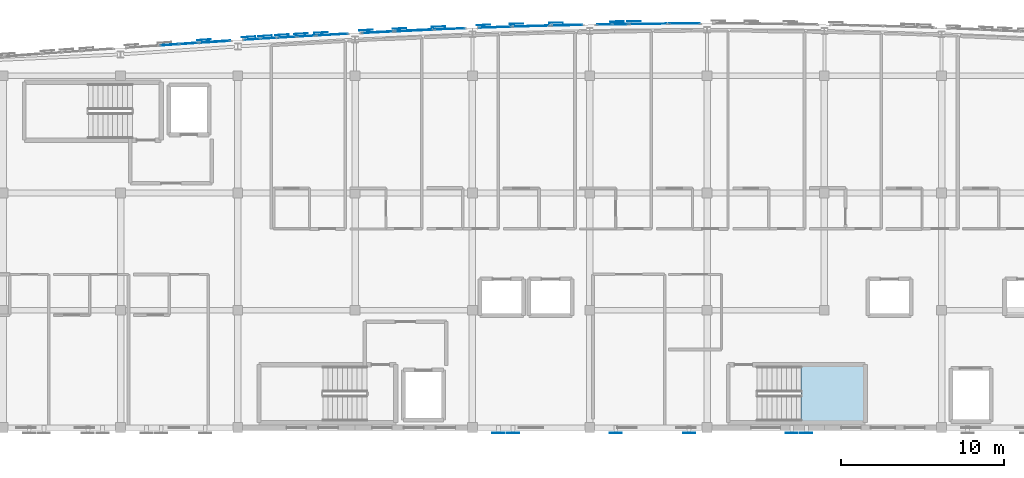
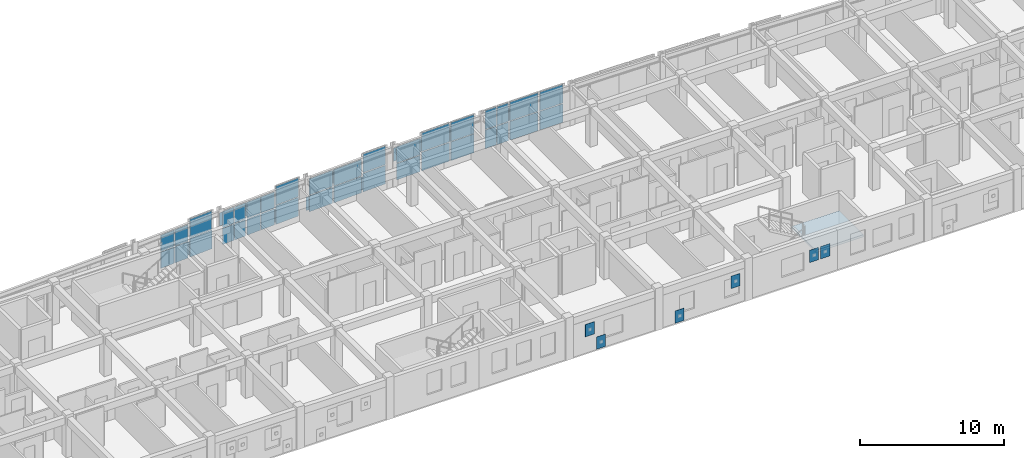
# One storey, part 30 of 45: 56 plates, 1 slab, 15 elements without a shape of their own.
"""IFC4 building model written with IfcOpenShell, lengths in metres."""

import ifcopenshell
import ifcopenshell.guid

model = None  # the IFC model being written
_history = None  # IfcOwnerHistory: only IFC2X3 demands one
_inside = {}  # id of a spatial element -> (the spatial element, [elements in it])
_under = {}  # id of a project, library or spatial element -> (it, [spatial elements below it])
_declared = {}  # id of a project -> (the project, [libraries it declares])
_typed = {}  # id of a type object -> (the type object, [elements of that type])
_made_of = {}  # id of a material, layer set ... -> (it, [elements and type objects made of it])


def new_model(schema):
    """Start an empty IFC model of exactly this schema.

    Asked for "IFC4X3", IfcOpenShell would pick the latest addendum, in which some entities
    have other attributes; the version numbers below select the first issue.
    IFC2X3 requires an IfcOwnerHistory on every rooted entity: one is made here for all.
    """
    global model, _history
    if schema == "IFC4X3":
        model = ifcopenshell.file(schema_version=(4, 3, 0, 0))
    else:
        model = ifcopenshell.file(schema=schema)
    _inside.clear()
    _under.clear()
    _declared.clear()
    _typed.clear()
    _made_of.clear()
    _history = None
    if model.schema == "IFC2X3":
        org = make("IfcOrganization", Name="unknown")
        user = make(
            "IfcPersonAndOrganization",
            ThePerson=make("IfcPerson", FamilyName="unknown"),
            TheOrganization=org,
        )
        app = make(
            "IfcApplication",
            ApplicationDeveloper=org,
            Version="unknown",
            ApplicationFullName="unknown",
            ApplicationIdentifier="unknown",
        )
        _history = make(
            "IfcOwnerHistory",
            OwningUser=user,
            OwningApplication=app,
            ChangeAction="ADDED",
            CreationDate=0,
        )
    return model


def make(cls, **values):
    """One entity of the class cls with the attributes given. An attribute that is None is left unset."""
    return model.create_entity(
        cls, **{name: value for name, value in values.items() if value is not None}
    )


def rooted(cls, **values):
    """An entity with a GlobalId (a new one), such as an element, a storey or a relation."""
    return make(cls, GlobalId=ifcopenshell.guid.new(), OwnerHistory=_history, **values)


def si_unit(unit_type, name, prefix=None):
    """IfcSIUnit, for example si_unit("LENGTHUNIT", "METRE", prefix="MILLI")."""
    return make("IfcSIUnit", UnitType=unit_type, Prefix=prefix, Name=name)


def assignment(units):
    """IfcUnitAssignment: the units of a project."""
    return None if units is None else make("IfcUnitAssignment", Units=units)


def point(xyz):
    """IfcCartesianPoint."""
    return None if xyz is None else make("IfcCartesianPoint", Coordinates=xyz)


def direction(xyz):
    """IfcDirection."""
    return None if xyz is None else make("IfcDirection", DirectionRatios=xyz)


def frame(location, z_axis=None, x_axis=None):
    """IfcAxis2Placement3D, a coordinate frame: its origin and axes. An axis left out is left unset."""
    return make(
        "IfcAxis2Placement3D",
        Location=point(location),
        Axis=direction(z_axis),
        RefDirection=direction(x_axis),
    )


def frame_2d(location, x_axis=None):
    """IfcAxis2Placement2D, a coordinate frame in the plane: its origin and x axis."""
    return make(
        "IfcAxis2Placement2D", Location=point(location), RefDirection=direction(x_axis)
    )


def origin():
    """The frame at (0, 0, 0) with its axes left unset."""
    return frame((0.0, 0.0, 0.0))


def origin_2d():
    """The frame at (0, 0) in the plane with its x axis left unset."""
    return frame_2d((0.0, 0.0))


def place(relative_to, where):
    """IfcLocalPlacement: puts the frame where relative to a parent placement (None: the world)."""
    return make(
        "IfcLocalPlacement", PlacementRelTo=relative_to, RelativePlacement=where
    )


def context(
    kind, dimensions, precision=None, world=None, true_north=None, identifier=None
):
    """IfcGeometricRepresentationContext, for example the 3D "Model" context."""
    return make(
        "IfcGeometricRepresentationContext",
        ContextIdentifier=identifier,
        ContextType=kind,
        CoordinateSpaceDimension=dimensions,
        Precision=precision,
        WorldCoordinateSystem=world,
        TrueNorth=true_north,
    )


def subcontext(parent, identifier, kind, view, scale=None):
    """IfcGeometricRepresentationSubContext, for example "Body" below "Model"."""
    return make(
        "IfcGeometricRepresentationSubContext",
        ContextIdentifier=identifier,
        ContextType=kind,
        ParentContext=parent,
        TargetScale=scale,
        TargetView=view,
    )


def project(units=None, contexts=None):
    """IfcProject with its units and contexts."""
    return rooted(
        "IfcProject",
        Name="project",
        RepresentationContexts=contexts,
        UnitsInContext=assignment(units),
    )


def spatial(cls, under=None, at=None, **own):
    """A site, building, storey or space (cls), placed at a placement, below another one or the project."""
    s = rooted(cls, ObjectPlacement=at, **own)
    if under is not None:
        _under.setdefault(under.id(), (under, []))[1].append(s)
    return s


def polyline(points):
    """IfcPolyline through the points."""
    return make("IfcPolyline", Points=[point(p) for p in points])


def profile(cls, at=None, kind="AREA", **sizes):
    """A parametric profile (cls). Its sizes go by their IFC names, for example OverallWidth=200.0."""
    return make(cls, ProfileType=kind, Position=at, **sizes)


def rectangle(**sizes):
    """IfcRectangleProfileDef."""
    return profile("IfcRectangleProfileDef", **sizes)


def outline(outer, holes=None, kind="AREA"):
    """IfcArbitraryClosedProfileDef: a profile drawn as a closed curve; with holes, ...WithVoids."""
    if holes is None:
        return make("IfcArbitraryClosedProfileDef", ProfileType=kind, OuterCurve=outer)
    return make(
        "IfcArbitraryProfileDefWithVoids",
        ProfileType=kind,
        OuterCurve=outer,
        InnerCurves=holes,
    )


def extrude(swept, where, along, depth):
    """IfcExtrudedAreaSolid: the profile swept, set in the frame where, extruded along a direction by depth."""
    return make(
        "IfcExtrudedAreaSolid",
        SweptArea=swept,
        Position=where,
        ExtrudedDirection=direction(along),
        Depth=depth,
    )


def shape(context_of_items, identifier, shape_type, items):
    """IfcShapeRepresentation: the items that make up one representation, for example the "Body"."""
    return make(
        "IfcShapeRepresentation",
        ContextOfItems=context_of_items,
        RepresentationIdentifier=identifier,
        RepresentationType=shape_type,
        Items=items,
    )


def material(Name=None, Category=None):
    """IfcMaterial."""
    return make("IfcMaterial", Name=Name, Category=Category)


def layer(
    of_material, thickness, ventilated=None, Name=None, Category=None, Priority=None
):
    """IfcMaterialLayer: one layer of a wall or slab, of a material (None: an air gap)."""
    return make(
        "IfcMaterialLayer",
        Material=of_material,
        LayerThickness=thickness,
        IsVentilated=ventilated,
        Name=Name,
        Category=Category,
        Priority=Priority,
    )


def layer_set(layers, Name=None):
    """IfcMaterialLayerSet."""
    return make("IfcMaterialLayerSet", MaterialLayers=layers, LayerSetName=Name)


def made_of(thing, what):
    """Note that an element or type object is made of a material, layer set ...; save() writes the relation."""
    if what is not None:
        _made_of.setdefault(what.id(), (what, []))[1].append(thing)
    return thing


def type_object(cls, material=None, **own):
    """A type object (cls), such as IfcWallType, which elements share."""
    return made_of(rooted(cls, **own), material)


def element(
    cls,
    number,
    at=None,
    inside=None,
    cuts=None,
    type_object=None,
    material=None,
    context=None,
    identifier="Body",
    shape_type=None,
    held_by="IfcProductDefinitionShape",
    body=None,
    shapes=None,
    **own,
):
    """One element of the class cls, such as IfcWall. Its Tag is "e" and its number.

    at: its placement. inside: the storey or other place that contains it. cuts: it is an
    opening in that element (IfcRelVoidsElement). A single representation is given by context,
    identifier, shape_type and body (its items); several are given by shapes. held_by: the class
    of the entity that holds the representations. save() writes the other relations.
    """
    e = rooted(cls, Tag="e%d" % number, ObjectPlacement=at, **own)
    if body is not None:
        shapes = [shape(context, identifier, shape_type, body)]
    if shapes is not None:
        e.Representation = make(held_by, Representations=shapes)
    if inside is not None:
        _inside.setdefault(inside.id(), (inside, []))[1].append(e)
    if cuts is not None:
        rooted(
            "IfcRelVoidsElement", RelatingBuildingElement=cuts, RelatedOpeningElement=e
        )
    if type_object is not None:
        _typed.setdefault(type_object.id(), (type_object, []))[1].append(e)
    return made_of(e, material)


def aggregate(whole, parts):
    """IfcRelAggregates: a whole, such as a stair, and the parts it consists of."""
    return rooted("IfcRelAggregates", RelatingObject=whole, RelatedObjects=parts)


def save(model, path):
    """Write the relations noted so far, then the file.

    IfcRelAggregates (storeys below a building ...), IfcRelContainedInSpatialStructure (elements
    in a storey), IfcRelDefinesByType, IfcRelAssociatesMaterial and IfcRelDeclares: one each for
    every whole, place, type object, material and project.
    """
    for whole, parts in _under.values():
        aggregate(whole, parts)
    for where, things in _inside.values():
        rooted(
            "IfcRelContainedInSpatialStructure",
            RelatedElements=things,
            RelatingStructure=where,
        )
    for kind, things in _typed.values():
        rooted("IfcRelDefinesByType", RelatedObjects=things, RelatingType=kind)
    for what, things in _made_of.values():
        rooted("IfcRelAssociatesMaterial", RelatedObjects=things, RelatingMaterial=what)
    for by, libraries in _declared.values():
        rooted("IfcRelDeclares", RelatingContext=by, RelatedDefinitions=libraries)
    model.write(path)


model = new_model("IFC4")

# Units and contexts
model_context = context("Model", 3, precision=1e-05, world=origin(), true_north=direction((0.0, 1.0)))
body_context = subcontext(model_context, "Body", "Model", "MODEL_VIEW")
ifc_project = project(units=[si_unit("LENGTHUNIT", "METRE"), si_unit("AREAUNIT", "SQUARE_METRE"), si_unit("VOLUMEUNIT", "CUBIC_METRE"), si_unit("PLANEANGLEUNIT", "RADIAN"), si_unit("MASSUNIT", "GRAM", prefix="KILO")], contexts=[model_context])

# Site, building, storey
site_placement = place(None, origin())
site = spatial("IfcSite", under=ifc_project, at=site_placement, CompositionType="ELEMENT")
building_placement = place(site_placement, origin())
building = spatial("IfcBuilding", under=site, at=building_placement, Name="Carrowvane Square Congress Hotel", CompositionType="ELEMENT")
storey_placement = place(building_placement, frame((0.0, 0.0, 33.60009765625)))
storey = spatial("IfcBuildingStorey", under=building, at=storey_placement, Name="L08", CompositionType="ELEMENT", Elevation=33.60009765625)

# Curtain wall, plates
ifc_material_1 = material(Name="Anodised aluminium", Category="aluminium")
ifc_layer_1 = layer(ifc_material_1, 0.23388671875)
ifc_layer_set_1 = layer_set([ifc_layer_1], Name="Anodised aluminium")
curtain_wall_type_1 = type_object("IfcCurtainWallType", Name="CW-SYS-7", PredefinedType="NOTDEFINED", material=ifc_layer_set_1)
curtain_wall_1_placement = place(storey_placement, origin())
curtain_wall_1 = element("IfcCurtainWall", 1, at=curtain_wall_1_placement, inside=storey, type_object=curtain_wall_type_1, Name="L08 unitised curtain wall 470", PredefinedType="NOTDEFINED")
ifc_material_2 = material(Name="Double-glazed low-E glass", Category="glass")
ifc_layer_2 = layer(ifc_material_2, 0.028076171875)
ifc_layer_set_2 = layer_set([ifc_layer_2], Name="Double-glazed low-E glass")
plate_type_1 = type_object("IfcPlateType", Name="CW-PAN-1", PredefinedType="CURTAIN_PANEL", material=ifc_layer_set_2)
plate_1_placement = place(storey_placement, frame((70.0849609375, 115.629638671875, 0.06005859375), z_axis=(0.0, 0.0, 1.0), x_axis=(0.998051378998, 0.062397474952, 0.0)))
plate_1 = element("IfcPlate", 2, at=plate_1_placement, type_object=plate_type_1, Name="CW-7 panel 1.1", PredefinedType="CURTAIN_PANEL", context=body_context, shape_type="SweptSolid", body=[
    extrude(rectangle(XDim=0.931884765625, YDim=0.028076171875, at=origin_2d()), origin(), (0.0, 0.0, 1.0), 1.377685546875),
])
plate_2_placement = place(storey_placement, frame((70.0849609375, 115.629638671875, 1.49755859375), z_axis=(0.0, 0.0, 1.0), x_axis=(0.998051378998, 0.062397474952, 0.0)))
plate_2 = element("IfcPlate", 3, at=plate_2_placement, type_object=plate_type_1, Name="CW-7 panel 1.2", PredefinedType="CURTAIN_PANEL", context=body_context, shape_type="SweptSolid", body=[
    extrude(rectangle(XDim=0.931884765625, YDim=0.028076171875, at=origin_2d()), origin(), (0.0, 0.0, 1.0), 1.377685546875),
])
plate_3_placement = place(storey_placement, frame((71.074951171875, 115.69140625, 0.06005859375), z_axis=(0.0, 0.0, 1.0), x_axis=(0.998051378998, 0.062397474952, 0.0)))
plate_3 = element("IfcPlate", 4, at=plate_3_placement, type_object=plate_type_1, Name="CW-7 panel 2.1", PredefinedType="CURTAIN_PANEL", context=body_context, shape_type="SweptSolid", body=[
    extrude(rectangle(XDim=0.931884765625, YDim=0.028076171875, at=origin_2d()), origin(), (0.0, 0.0, 1.0), 1.377685546875),
])
plate_4_placement = place(storey_placement, frame((71.074951171875, 115.69140625, 1.49755859375), z_axis=(0.0, 0.0, 1.0), x_axis=(0.998051378998, 0.062397474952, 0.0)))
plate_4 = element("IfcPlate", 5, at=plate_4_placement, type_object=plate_type_1, Name="CW-7 panel 2.2", PredefinedType="CURTAIN_PANEL", context=body_context, shape_type="SweptSolid", body=[
    extrude(rectangle(XDim=0.931884765625, YDim=0.028076171875, at=origin_2d()), origin(), (0.0, 0.0, 1.0), 1.377685546875),
])
aggregate(curtain_wall_1, [plate_1, plate_2, plate_3, plate_4])

ifc_material_3 = material(Name="Anodised aluminium", Category="aluminium")
ifc_layer_3 = layer(ifc_material_3, 0.197998046875)
ifc_layer_set_3 = layer_set([ifc_layer_3], Name="Anodised aluminium")
curtain_wall_type_2 = type_object("IfcCurtainWallType", Name="CW-SYS-4", PredefinedType="NOTDEFINED", material=ifc_layer_set_3)
curtain_wall_2_placement = place(storey_placement, origin())
curtain_wall_2 = element("IfcCurtainWall", 6, at=curtain_wall_2_placement, inside=storey, type_object=curtain_wall_type_2, Name="L08 unitised curtain wall 475", PredefinedType="NOTDEFINED")
plate_5_placement = place(storey_placement, frame((82.200439453125, 116.267822265625, 0.06982421875), z_axis=(0.0, 0.0, 1.0), x_axis=(0.999194236464, 0.040135742379, 0.0)))
plate_5 = element("IfcPlate", 7, at=plate_5_placement, type_object=plate_type_1, Name="CW-4 panel 1.1", PredefinedType="CURTAIN_PANEL", context=body_context, shape_type="SweptSolid", body=[
    extrude(rectangle(XDim=1.86279296875, YDim=0.028076171875, at=origin_2d()), origin(), (0.0, 0.0, 1.0), 1.574951171875),
])
plate_6_placement = place(storey_placement, frame((82.200439453125, 116.267822265625, 1.71484375), z_axis=(0.0, 0.0, 1.0), x_axis=(0.999194236464, 0.040135742379, 0.0)))
plate_6 = element("IfcPlate", 8, at=plate_6_placement, type_object=plate_type_1, Name="CW-4 panel 1.2", PredefinedType="CURTAIN_PANEL", context=body_context, shape_type="SweptSolid", body=[
    extrude(rectangle(XDim=1.86279296875, YDim=0.028076171875, at=origin_2d()), origin(), (0.0, 0.0, 1.0), 1.574951171875),
])
aggregate(curtain_wall_2, [plate_5, plate_6])

ifc_material_4 = material(Name="Anodised aluminium", Category="aluminium")
ifc_layer_4 = layer(ifc_material_4, 0.162109375)
ifc_layer_set_4 = layer_set([ifc_layer_4], Name="Anodised aluminium")
curtain_wall_type_3 = type_object("IfcCurtainWallType", Name="CW-SYS-1", PredefinedType="NOTDEFINED", material=ifc_layer_set_4)
curtain_wall_3_placement = place(storey_placement, origin())
curtain_wall_3 = element("IfcCurtainWall", 9, at=curtain_wall_3_placement, inside=storey, type_object=curtain_wall_type_3, Name="L08 unitised curtain wall 480", PredefinedType="NOTDEFINED")
plate_7_placement = place(storey_placement, frame((94.39990234375, 116.580322265625, 0.06005859375), z_axis=(0.0, 0.0, 1.0), x_axis=(0.999952146231, 0.009782905924, 0.0)))
plate_7 = element("IfcPlate", 10, at=plate_7_placement, type_object=plate_type_1, Name="CW-1 panel 1.1", PredefinedType="CURTAIN_PANEL", context=body_context, shape_type="SweptSolid", body=[
    extrude(rectangle(XDim=2.280029296875, YDim=0.028076171875, at=origin_2d()), origin(), (0.0, 0.0, 1.0), 1.590087890625),
])
plate_8_placement = place(storey_placement, frame((94.39990234375, 116.580322265625, 1.7099609375), z_axis=(0.0, 0.0, 1.0), x_axis=(0.999952146231, 0.009782905924, 0.0)))
plate_8 = element("IfcPlate", 11, at=plate_8_placement, type_object=plate_type_1, Name="CW-1 panel 1.2", PredefinedType="CURTAIN_PANEL", context=body_context, shape_type="SweptSolid", body=[
    extrude(rectangle(XDim=2.280029296875, YDim=0.028076171875, at=origin_2d()), origin(), (0.0, 0.0, 1.0), 1.590087890625),
])
aggregate(curtain_wall_3, [plate_7, plate_8])

ifc_material_5 = material(Name="Anodised aluminium", Category="aluminium")
ifc_layer_5 = layer(ifc_material_5, 0.24609375)
ifc_layer_set_5 = layer_set([ifc_layer_5], Name="Anodised aluminium")
curtain_wall_type_4 = type_object("IfcCurtainWallType", Name="CW-SYS-8", PredefinedType="NOTDEFINED", material=ifc_layer_set_5)
curtain_wall_4_placement = place(storey_placement, origin())
curtain_wall_4 = element("IfcCurtainWall", 12, at=curtain_wall_4_placement, inside=storey, type_object=curtain_wall_type_4, Name="L08 unitised curtain wall 471", PredefinedType="NOTDEFINED")
ifc_material_6 = material(Name="Double-glazed low-E glass", Category="glass")
ifc_layer_6 = layer(ifc_material_6, 0.031982421875)
ifc_layer_set_6 = layer_set([ifc_layer_6], Name="Double-glazed low-E glass")
plate_type_2 = type_object("IfcPlateType", Name="CW-PAN-2", PredefinedType="CURTAIN_PANEL", material=ifc_layer_set_6)
plate_9_placement = place(storey_placement, frame((72.217529296875, 115.7607421875, 0.06982421875), z_axis=(0.0, 0.0, 1.0), x_axis=(0.998266763162, 0.058851249486, 0.0)))
plate_9 = element("IfcPlate", 13, at=plate_9_placement, type_object=plate_type_2, Name="CW-8 panel 1.1", PredefinedType="CURTAIN_PANEL", context=body_context, shape_type="SweptSolid", body=[
    extrude(rectangle(XDim=1.09716796875, YDim=0.031982421875, at=origin_2d()), origin(), (0.0, 0.0, 1.0), 1.36279296875),
])
plate_10_placement = place(storey_placement, frame((72.217529296875, 115.7607421875, 1.502685546875), z_axis=(0.0, 0.0, 1.0), x_axis=(0.998266763162, 0.058851249486, 0.0)))
plate_10 = element("IfcPlate", 14, at=plate_10_placement, type_object=plate_type_2, Name="CW-8 panel 1.2", PredefinedType="CURTAIN_PANEL", context=body_context, shape_type="SweptSolid", body=[
    extrude(rectangle(XDim=1.09716796875, YDim=0.031982421875, at=origin_2d()), origin(), (0.0, 0.0, 1.0), 1.36279296875),
])
plate_11_placement = place(storey_placement, frame((73.382568359375, 115.829345703125, 0.06982421875), z_axis=(0.0, 0.0, 1.0), x_axis=(0.998266763162, 0.058851249486, 0.0)))
plate_11 = element("IfcPlate", 15, at=plate_11_placement, type_object=plate_type_2, Name="CW-8 panel 2.1", PredefinedType="CURTAIN_PANEL", context=body_context, shape_type="SweptSolid", body=[
    extrude(rectangle(XDim=1.09716796875, YDim=0.031982421875, at=origin_2d()), origin(), (0.0, 0.0, 1.0), 1.36279296875),
])
plate_12_placement = place(storey_placement, frame((73.382568359375, 115.829345703125, 1.502685546875), z_axis=(0.0, 0.0, 1.0), x_axis=(0.998266763162, 0.058851249486, 0.0)))
plate_12 = element("IfcPlate", 16, at=plate_12_placement, type_object=plate_type_2, Name="CW-8 panel 2.2", PredefinedType="CURTAIN_PANEL", context=body_context, shape_type="SweptSolid", body=[
    extrude(rectangle(XDim=1.09716796875, YDim=0.031982421875, at=origin_2d()), origin(), (0.0, 0.0, 1.0), 1.36279296875),
])
aggregate(curtain_wall_4, [plate_9, plate_10, plate_11, plate_12])

ifc_material_7 = material(Name="Anodised aluminium", Category="aluminium")
ifc_layer_7 = layer(ifc_material_7, 0.2099609375)
ifc_layer_set_7 = layer_set([ifc_layer_7], Name="Anodised aluminium")
curtain_wall_type_5 = type_object("IfcCurtainWallType", Name="CW-SYS-5", PredefinedType="NOTDEFINED", material=ifc_layer_set_7)
curtain_wall_5_placement = place(storey_placement, origin())
curtain_wall_5 = element("IfcCurtainWall", 17, at=curtain_wall_5_placement, inside=storey, type_object=curtain_wall_type_5, Name="L08 unitised curtain wall 476", PredefinedType="NOTDEFINED")
plate_13_placement = place(storey_placement, frame((84.9853515625, 116.371826171875, 0.06005859375), z_axis=(0.0, 0.0, 1.0), x_axis=(0.999403774749, 0.034526729036, 0.0)))
plate_13 = element("IfcPlate", 18, at=plate_13_placement, type_object=plate_type_2, Name="CW-5 panel 1.1", PredefinedType="CURTAIN_PANEL", context=body_context, shape_type="SweptSolid", body=[
    extrude(rectangle(XDim=1.91064453125, YDim=0.031982421875, at=origin_2d()), origin(), (0.0, 0.0, 1.0), 1.377685546875),
])
plate_14_placement = place(storey_placement, frame((84.9853515625, 116.371826171875, 1.49755859375), z_axis=(0.0, 0.0, 1.0), x_axis=(0.999403774749, 0.034526729036, 0.0)))
plate_14 = element("IfcPlate", 19, at=plate_14_placement, type_object=plate_type_2, Name="CW-5 panel 1.2", PredefinedType="CURTAIN_PANEL", context=body_context, shape_type="SweptSolid", body=[
    extrude(rectangle(XDim=1.91064453125, YDim=0.031982421875, at=origin_2d()), origin(), (0.0, 0.0, 1.0), 1.377685546875),
])
aggregate(curtain_wall_5, [plate_13, plate_14])

ifc_material_8 = material(Name="Anodised aluminium", Category="aluminium")
ifc_layer_8 = layer(ifc_material_8, 0.174072265625)
ifc_layer_set_8 = layer_set([ifc_layer_8], Name="Anodised aluminium")
curtain_wall_type_6 = type_object("IfcCurtainWallType", Name="CW-SYS-2", PredefinedType="NOTDEFINED", material=ifc_layer_set_8)
curtain_wall_6_placement = place(storey_placement, origin())
curtain_wall_6 = element("IfcCurtainWall", 20, at=curtain_wall_6_placement, inside=storey, type_object=curtain_wall_type_6, Name="L08 unitised curtain wall 481", PredefinedType="NOTDEFINED")
plate_15_placement = place(storey_placement, frame((96.607666015625, 116.595458984375, 0.06982421875), z_axis=(0.0, 0.0, 1.0), x_axis=(0.999994652529, 0.003270307911, 0.0)))
plate_15 = element("IfcPlate", 21, at=plate_15_placement, type_object=plate_type_2, Name="CW-2 panel 1.1", PredefinedType="CURTAIN_PANEL", context=body_context, shape_type="SweptSolid", body=[
    extrude(rectangle(XDim=1.875, YDim=0.031982421875, at=origin_2d()), origin(), (0.0, 0.0, 1.0), 1.574951171875),
])
plate_16_placement = place(storey_placement, frame((96.607666015625, 116.595458984375, 1.71484375), z_axis=(0.0, 0.0, 1.0), x_axis=(0.999994652529, 0.003270307911, 0.0)))
plate_16 = element("IfcPlate", 22, at=plate_16_placement, type_object=plate_type_2, Name="CW-2 panel 1.2", PredefinedType="CURTAIN_PANEL", context=body_context, shape_type="SweptSolid", body=[
    extrude(rectangle(XDim=1.875, YDim=0.031982421875, at=origin_2d()), origin(), (0.0, 0.0, 1.0), 1.574951171875),
])
aggregate(curtain_wall_6, [plate_15, plate_16])

curtain_wall_7_placement = place(storey_placement, origin())
curtain_wall_7 = element("IfcCurtainWall", 23, at=curtain_wall_7_placement, inside=storey, type_object=curtain_wall_type_3, Name="L08 unitised curtain wall 472", PredefinedType="NOTDEFINED")
ifc_material_9 = material(Name="Double-glazed low-E glass", Category="glass")
ifc_layer_9 = layer(ifc_material_9, 0.035888671875)
ifc_layer_set_9 = layer_set([ifc_layer_9], Name="Double-glazed low-E glass")
plate_type_3 = type_object("IfcPlateType", Name="CW-PAN-3", PredefinedType="CURTAIN_PANEL", material=ifc_layer_set_9)
plate_17_placement = place(storey_placement, frame((74.997802734375, 115.920654296875, 0.06005859375), z_axis=(0.0, 0.0, 1.0), x_axis=(0.998496473856, 0.054815980317, 0.0)))
plate_17 = element("IfcPlate", 24, at=plate_17_placement, type_object=plate_type_3, Name="CW-1 panel 1.1", PredefinedType="CURTAIN_PANEL", context=body_context, shape_type="SweptSolid", body=[
    extrude(rectangle(XDim=1.87841796875, YDim=0.035888671875, at=origin_2d()), origin(), (0.0, 0.0, 1.0), 1.590087890625),
])
plate_18_placement = place(storey_placement, frame((74.997802734375, 115.920654296875, 1.7099609375), z_axis=(0.0, 0.0, 1.0), x_axis=(0.998496473856, 0.054815980317, 0.0)))
plate_18 = element("IfcPlate", 25, at=plate_18_placement, type_object=plate_type_3, Name="CW-1 panel 1.2", PredefinedType="CURTAIN_PANEL", context=body_context, shape_type="SweptSolid", body=[
    extrude(rectangle(XDim=1.87841796875, YDim=0.035888671875, at=origin_2d()), origin(), (0.0, 0.0, 1.0), 1.590087890625),
])
aggregate(curtain_wall_7, [plate_17, plate_18])

ifc_material_10 = material(Name="Anodised aluminium", Category="aluminium")
ifc_layer_10 = layer(ifc_material_10, 0.221923828125)
ifc_layer_set_10 = layer_set([ifc_layer_10], Name="Anodised aluminium")
curtain_wall_type_7 = type_object("IfcCurtainWallType", Name="CW-SYS-6", PredefinedType="NOTDEFINED", material=ifc_layer_set_10)
curtain_wall_8_placement = place(storey_placement, origin())
curtain_wall_8 = element("IfcCurtainWall", 26, at=curtain_wall_8_placement, inside=storey, type_object=curtain_wall_type_7, Name="L08 unitised curtain wall 477", PredefinedType="NOTDEFINED")
plate_19_placement = place(storey_placement, frame((87.199951171875, 116.44140625, 0.06982421875), z_axis=(0.0, 0.0, 1.0), x_axis=(0.999589848065, 0.028638010501, 0.0)))
plate_19 = element("IfcPlate", 27, at=plate_19_placement, type_object=plate_type_3, Name="CW-6 panel 1.1", PredefinedType="CURTAIN_PANEL", context=body_context, shape_type="SweptSolid", body=[
    extrude(rectangle(XDim=2.260986328125, YDim=0.035888671875, at=origin_2d()), origin(), (0.0, 0.0, 1.0), 1.574951171875),
])
plate_20_placement = place(storey_placement, frame((87.199951171875, 116.44140625, 1.71484375), z_axis=(0.0, 0.0, 1.0), x_axis=(0.999589848065, 0.028638010501, 0.0)))
plate_20 = element("IfcPlate", 28, at=plate_20_placement, type_object=plate_type_3, Name="CW-6 panel 1.2", PredefinedType="CURTAIN_PANEL", context=body_context, shape_type="SweptSolid", body=[
    extrude(rectangle(XDim=2.260986328125, YDim=0.035888671875, at=origin_2d()), origin(), (0.0, 0.0, 1.0), 1.574951171875),
])
aggregate(curtain_wall_8, [plate_19, plate_20])

curtain_wall_9_placement = place(storey_placement, origin())
curtain_wall_9 = element("IfcCurtainWall", 29, at=curtain_wall_9_placement, inside=storey, type_object=curtain_wall_type_5, Name="L08 unitised curtain wall 468", PredefinedType="NOTDEFINED")
ifc_material_11 = material(Name="Double-glazed low-E glass", Category="glass")
ifc_layer_11 = layer(ifc_material_11, 0.0419921875)
ifc_layer_set_11 = layer_set([ifc_layer_11], Name="Double-glazed low-E glass")
plate_type_4 = type_object("IfcPlateType", Name="CW-PAN-4", PredefinedType="CURTAIN_PANEL", material=ifc_layer_set_11)
plate_21_placement = place(storey_placement, frame((65.014892578125, 115.295654296875, 0.06005859375), z_axis=(0.0, 0.0, 1.0), x_axis=(0.997694484404, 0.067865424104, 0.0)))
plate_21 = element("IfcPlate", 30, at=plate_21_placement, type_object=plate_type_4, Name="CW-5 panel 1.1", PredefinedType="CURTAIN_PANEL", context=body_context, shape_type="SweptSolid", body=[
    extrude(rectangle(XDim=1.11279296875, YDim=0.0419921875, at=origin_2d()), origin(), (0.0, 0.0, 1.0), 1.377685546875),
])
plate_22_placement = place(storey_placement, frame((65.014892578125, 115.295654296875, 1.49755859375), z_axis=(0.0, 0.0, 1.0), x_axis=(0.997694484404, 0.067865424104, 0.0)))
plate_22 = element("IfcPlate", 31, at=plate_22_placement, type_object=plate_type_4, Name="CW-5 panel 1.2", PredefinedType="CURTAIN_PANEL", context=body_context, shape_type="SweptSolid", body=[
    extrude(rectangle(XDim=1.11279296875, YDim=0.0419921875, at=origin_2d()), origin(), (0.0, 0.0, 1.0), 1.377685546875),
])
plate_23_placement = place(storey_placement, frame((66.18505859375, 115.375244140625, 0.06005859375), z_axis=(0.0, 0.0, 1.0), x_axis=(0.997694484404, 0.067865424104, 0.0)))
plate_23 = element("IfcPlate", 32, at=plate_23_placement, type_object=plate_type_4, Name="CW-5 panel 2.1", PredefinedType="CURTAIN_PANEL", context=body_context, shape_type="SweptSolid", body=[
    extrude(rectangle(XDim=1.11279296875, YDim=0.0419921875, at=origin_2d()), origin(), (0.0, 0.0, 1.0), 1.377685546875),
])
plate_24_placement = place(storey_placement, frame((66.18505859375, 115.375244140625, 1.49755859375), z_axis=(0.0, 0.0, 1.0), x_axis=(0.997694484404, 0.067865424104, 0.0)))
plate_24 = element("IfcPlate", 33, at=plate_24_placement, type_object=plate_type_4, Name="CW-5 panel 2.2", PredefinedType="CURTAIN_PANEL", context=body_context, shape_type="SweptSolid", body=[
    extrude(rectangle(XDim=1.11279296875, YDim=0.0419921875, at=origin_2d()), origin(), (0.0, 0.0, 1.0), 1.377685546875),
])
aggregate(curtain_wall_9, [plate_21, plate_22, plate_23, plate_24])

curtain_wall_10_placement = place(storey_placement, origin())
curtain_wall_10 = element("IfcCurtainWall", 34, at=curtain_wall_10_placement, inside=storey, type_object=curtain_wall_type_6, Name="L08 unitised curtain wall 473", PredefinedType="NOTDEFINED")
plate_25_placement = place(storey_placement, frame((77.7822265625, 116.067138671875, 0.06982421875), z_axis=(0.0, 0.0, 1.0), x_axis=(0.998732955299, 0.050323791596, 0.0)))
plate_25 = element("IfcPlate", 35, at=plate_25_placement, type_object=plate_type_4, Name="CW-2 panel 1.1", PredefinedType="CURTAIN_PANEL", context=body_context, shape_type="SweptSolid", body=[
    extrude(rectangle(XDim=1.89794921875, YDim=0.0419921875, at=origin_2d()), origin(), (0.0, 0.0, 1.0), 1.36279296875),
])
plate_26_placement = place(storey_placement, frame((77.7822265625, 116.067138671875, 1.502685546875), z_axis=(0.0, 0.0, 1.0), x_axis=(0.998732955299, 0.050323791596, 0.0)))
plate_26 = element("IfcPlate", 36, at=plate_26_placement, type_object=plate_type_4, Name="CW-2 panel 1.2", PredefinedType="CURTAIN_PANEL", context=body_context, shape_type="SweptSolid", body=[
    extrude(rectangle(XDim=1.89794921875, YDim=0.0419921875, at=origin_2d()), origin(), (0.0, 0.0, 1.0), 1.36279296875),
])
aggregate(curtain_wall_10, [plate_25, plate_26])

curtain_wall_11_placement = place(storey_placement, origin())
curtain_wall_11 = element("IfcCurtainWall", 37, at=curtain_wall_11_placement, inside=storey, type_object=curtain_wall_type_1, Name="L08 unitised curtain wall 478", PredefinedType="NOTDEFINED")
plate_27_placement = place(storey_placement, frame((89.40380859375, 116.498291015625, 0.06005859375), z_axis=(0.0, 0.0, 1.0), x_axis=(0.99974644475, 0.022517686606, 0.0)))
plate_27 = element("IfcPlate", 38, at=plate_27_placement, type_object=plate_type_4, Name="CW-7 panel 1.1", PredefinedType="CURTAIN_PANEL", context=body_context, shape_type="SweptSolid", body=[
    extrude(rectangle(XDim=1.88818359375, YDim=0.0419921875, at=origin_2d()), origin(), (0.0, 0.0, 1.0), 1.590087890625),
])
plate_28_placement = place(storey_placement, frame((89.40380859375, 116.498291015625, 1.7099609375), z_axis=(0.0, 0.0, 1.0), x_axis=(0.99974644475, 0.022517686606, 0.0)))
plate_28 = element("IfcPlate", 39, at=plate_28_placement, type_object=plate_type_4, Name="CW-7 panel 1.2", PredefinedType="CURTAIN_PANEL", context=body_context, shape_type="SweptSolid", body=[
    extrude(rectangle(XDim=1.88818359375, YDim=0.0419921875, at=origin_2d()), origin(), (0.0, 0.0, 1.0), 1.590087890625),
])
aggregate(curtain_wall_11, [plate_27, plate_28])

curtain_wall_12_placement = place(storey_placement, origin())
curtain_wall_12 = element("IfcCurtainWall", 40, at=curtain_wall_12_placement, inside=storey, type_object=curtain_wall_type_7, Name="L08 unitised curtain wall 469", PredefinedType="NOTDEFINED")
ifc_material_12 = material(Name="Double-glazed low-E glass", Category="glass")
ifc_layer_12 = layer(ifc_material_12, 0.048095703125)
ifc_layer_set_12 = layer_set([ifc_layer_12], Name="Double-glazed low-E glass")
plate_type_5 = type_object("IfcPlateType", Name="CW-PAN-5", PredefinedType="CURTAIN_PANEL", material=ifc_layer_set_12)
plate_29_placement = place(storey_placement, frame((67.795654296875, 115.482177734375, 0.06982421875), z_axis=(0.0, 0.0, 1.0), x_axis=(0.997858327155, 0.065412223074, 0.0)))
plate_29 = element("IfcPlate", 41, at=plate_29_placement, type_object=plate_type_5, Name="CW-6 panel 1.1", PredefinedType="CURTAIN_PANEL", context=body_context, shape_type="SweptSolid", body=[
    extrude(rectangle(XDim=1.855712890625, YDim=0.048095703125, at=origin_2d()), origin(), (0.0, 0.0, 1.0), 1.574951171875),
])
plate_30_placement = place(storey_placement, frame((67.795654296875, 115.482177734375, 1.71484375), z_axis=(0.0, 0.0, 1.0), x_axis=(0.997858327155, 0.065412223074, 0.0)))
plate_30 = element("IfcPlate", 42, at=plate_30_placement, type_object=plate_type_5, Name="CW-6 panel 1.2", PredefinedType="CURTAIN_PANEL", context=body_context, shape_type="SweptSolid", body=[
    extrude(rectangle(XDim=1.855712890625, YDim=0.048095703125, at=origin_2d()), origin(), (0.0, 0.0, 1.0), 1.574951171875),
])
aggregate(curtain_wall_12, [plate_29, plate_30])

ifc_material_13 = material(Name="Anodised aluminium", Category="aluminium")
ifc_layer_13 = layer(ifc_material_13, 0.18603515625)
ifc_layer_set_13 = layer_set([ifc_layer_13], Name="Anodised aluminium")
curtain_wall_type_8 = type_object("IfcCurtainWallType", Name="CW-SYS-3", PredefinedType="NOTDEFINED", material=ifc_layer_set_13)
curtain_wall_13_placement = place(storey_placement, origin())
curtain_wall_13 = element("IfcCurtainWall", 43, at=curtain_wall_13_placement, inside=storey, type_object=curtain_wall_type_8, Name="L08 unitised curtain wall 474", PredefinedType="NOTDEFINED")
plate_31_placement = place(storey_placement, frame((80.0, 116.173095703125, 0.06005859375), z_axis=(0.0, 0.0, 1.0), x_axis=(0.998968385726, 0.045411059449, 0.0)))
plate_31 = element("IfcPlate", 44, at=plate_31_placement, type_object=plate_type_5, Name="CW-3 panel 1.1", PredefinedType="CURTAIN_PANEL", context=body_context, shape_type="SweptSolid", body=[
    extrude(rectangle(XDim=2.282470703125, YDim=0.048095703125, at=origin_2d()), origin(), (0.0, 0.0, 1.0), 1.377685546875),
])
plate_32_placement = place(storey_placement, frame((80.0, 116.173095703125, 1.49755859375), z_axis=(0.0, 0.0, 1.0), x_axis=(0.998968385726, 0.045411059449, 0.0)))
plate_32 = element("IfcPlate", 45, at=plate_32_placement, type_object=plate_type_5, Name="CW-3 panel 1.2", PredefinedType="CURTAIN_PANEL", context=body_context, shape_type="SweptSolid", body=[
    extrude(rectangle(XDim=2.282470703125, YDim=0.048095703125, at=origin_2d()), origin(), (0.0, 0.0, 1.0), 1.377685546875),
])
aggregate(curtain_wall_13, [plate_31, plate_32])

curtain_wall_14_placement = place(storey_placement, origin())
curtain_wall_14 = element("IfcCurtainWall", 46, at=curtain_wall_14_placement, inside=storey, type_object=curtain_wall_type_4, Name="L08 unitised curtain wall 479", PredefinedType="NOTDEFINED")
plate_33_placement = place(storey_placement, frame((91.70068359375, 116.54443359375, 0.06982421875), z_axis=(0.0, 0.0, 1.0), x_axis=(0.99986851233, 0.016215981364, 0.0)))
plate_33 = element("IfcPlate", 47, at=plate_33_placement, type_object=plate_type_5, Name="CW-8 panel 1.1", PredefinedType="CURTAIN_PANEL", context=body_context, shape_type="SweptSolid", body=[
    extrude(rectangle(XDim=0.90625, YDim=0.048095703125, at=origin_2d()), origin(), (0.0, 0.0, 1.0), 1.574951171875),
])
plate_34_placement = place(storey_placement, frame((91.70068359375, 116.54443359375, 1.71484375), z_axis=(0.0, 0.0, 1.0), x_axis=(0.99986851233, 0.016215981364, 0.0)))
plate_34 = element("IfcPlate", 48, at=plate_34_placement, type_object=plate_type_5, Name="CW-8 panel 1.2", PredefinedType="CURTAIN_PANEL", context=body_context, shape_type="SweptSolid", body=[
    extrude(rectangle(XDim=0.90625, YDim=0.048095703125, at=origin_2d()), origin(), (0.0, 0.0, 1.0), 1.574951171875),
])
plate_35_placement = place(storey_placement, frame((92.6767578125, 116.560302734375, 0.06982421875), z_axis=(0.0, 0.0, 1.0), x_axis=(0.99986851233, 0.016215981364, 0.0)))
plate_35 = element("IfcPlate", 49, at=plate_35_placement, type_object=plate_type_5, Name="CW-8 panel 2.1", PredefinedType="CURTAIN_PANEL", context=body_context, shape_type="SweptSolid", body=[
    extrude(rectangle(XDim=0.90625, YDim=0.048095703125, at=origin_2d()), origin(), (0.0, 0.0, 1.0), 1.574951171875),
])
plate_36_placement = place(storey_placement, frame((92.6767578125, 116.560302734375, 1.71484375), z_axis=(0.0, 0.0, 1.0), x_axis=(0.99986851233, 0.016215981364, 0.0)))
plate_36 = element("IfcPlate", 50, at=plate_36_placement, type_object=plate_type_5, Name="CW-8 panel 2.2", PredefinedType="CURTAIN_PANEL", context=body_context, shape_type="SweptSolid", body=[
    extrude(rectangle(XDim=0.90625, YDim=0.048095703125, at=origin_2d()), origin(), (0.0, 0.0, 1.0), 1.574951171875),
])
aggregate(curtain_wall_14, [plate_33, plate_34, plate_35, plate_36])

# Plates
ifc_material_14 = material(Name="Champagne-gold anodised aluminium", Category="aluminium")
ifc_layer_14 = layer(ifc_material_14, 0.011962890625)
ifc_layer_set_14 = layer_set([ifc_layer_14], Name="Champagne-gold anodised aluminium")
plate_type_6 = type_object("IfcPlateType", Name="PLT-PIX-GOLD12", PredefinedType="SHEET", material=ifc_layer_set_14)
for number, where, z_axis, x_axis, name in (
    (51, (67.11328125, 115.603759765625, 0.119873046875), (0.0, 0.0, 1.0), (0.99785825325, 0.065413350476, 0.0), "Champagne-gold pixel screen plate 774"),
    (52, (71.91455078125, 115.9091796875, 1.58984375), (0.0, 0.0, 1.0), (0.998266695506, 0.05885239709, 0.0), "Champagne-gold pixel screen plate 777"),
    (53, (73.07958984375, 115.977783203125, 1.58984375), (0.0, 0.0, 1.0), (0.998266695506, 0.05885239709, 0.0), "Champagne-gold pixel screen plate 778"),
    (54, (77.08056640625, 116.197998046875, 0.119873046875), (0.0, 0.0, 1.0), (0.998733066647, 0.050321581706, 0.0), "Champagne-gold pixel screen plate 780"),
    (55, (81.517822265625, 116.406494140625, 0.119873046875), (0.0, 0.0, 1.0), (0.999194294234, 0.040134304148, 0.0), "Champagne-gold pixel screen plate 782"),
    (56, (86.31982421875, 116.582275390625, 1.58984375), (0.0, 0.0, 1.0), (0.999589805464, 0.028639497417, 0.0), "Champagne-gold pixel screen plate 784"),
    (57, (92.475830078125, 116.722900390625, 0.119873046875), (0.0, 0.0, 1.0), (0.999868508772, 0.016216200758, 0.0), "Champagne-gold pixel screen plate 786"),
):
    element("IfcPlate", number, at=place(storey_placement, frame(where, z_axis=z_axis, x_axis=x_axis)), inside=storey, type_object=plate_type_6, Name=name, PredefinedType="SHEET", context=body_context, shape_type="SweptSolid", body=[
        extrude(rectangle(XDim=0.827880859375, YDim=0.011962890625, at=origin_2d()), origin(), (0.0, 0.0, 1.0), 1.1201171875),
    ])
for number, where, z_axis, x_axis, name in (
    (58, (104.10009765625, 91.468994140625, 1.52490234375), (0.0, 0.0, 1.0), (-1.0, 0.0, 0.0), "Champagne-gold pixel screen plate S-835"),
    (59, (103.199951171875, 91.468994140625, 1.52490234375), (0.0, 0.0, 1.0), (-1.0, 0.0, 0.0), "Champagne-gold pixel screen plate S-836"),
    (60, (86.10009765625, 91.468994140625, 0.15478515625), (0.0, 0.0, 1.0), (-1.0, 0.0, 0.0), "Champagne-gold pixel screen plate S-839"),
    (61, (85.199951171875, 91.468994140625, 1.52490234375), (0.0, 0.0, 1.0), (-1.0, 0.0, 0.0), "Champagne-gold pixel screen plate S-840"),
):
    element("IfcPlate", number, at=place(storey_placement, frame(where, z_axis=z_axis, x_axis=x_axis)), inside=storey, type_object=plate_type_6, Name=name, PredefinedType="SHEET", context=body_context, shape_type="SweptSolid", body=[
        extrude(rectangle(XDim=0.738037109375, YDim=0.011962890625, at=origin_2d()), origin(), (0.0, 0.0, 1.0), 1.050048828125),
    ])
ifc_material_15 = material(Name="Champagne-gold anodised aluminium", Category="aluminium")
ifc_layer_15 = layer(ifc_material_15, 0.008056640625)
ifc_layer_set_15 = layer_set([ifc_layer_15], Name="Champagne-gold anodised aluminium")
plate_type_7 = type_object("IfcPlateType", Name="PLT-PIX-GOLD8", PredefinedType="SHEET", material=ifc_layer_set_15)
for number, where, z_axis, x_axis, name in (
    (62, (69.868896484375, 115.780517578125, 1.58984375), (0.0, 0.0, 1.0), (0.998051413269, 0.062396926785, 0.0), "Champagne-gold pixel screen plate 775"),
    (63, (70.859130859375, 115.84228515625, 0.119873046875), (0.0, 0.0, 1.0), (0.998051413269, 0.062396926785, 0.0), "Champagne-gold pixel screen plate 776"),
    (64, (74.310302734375, 116.047119140625, 0.119873046875), (0.0, 0.0, 1.0), (0.998496552462, 0.054814548441, 0.0), "Champagne-gold pixel screen plate 779"),
    (65, (79.112060546875, 116.296875, 1.58984375), (0.0, 0.0, 1.0), (0.998968255262, 0.045413929349, 0.0), "Champagne-gold pixel screen plate 781"),
    (66, (84.284423828125, 116.51171875, 1.58984375), (0.0, 0.0, 1.0), (0.999403768784, 0.034526901703, 0.0), "Champagne-gold pixel screen plate 783"),
    (67, (88.716064453125, 116.646728515625, 1.58984375), (0.0, 0.0, 1.0), (0.999746418061, 0.022518871507, 0.0), "Champagne-gold pixel screen plate 785"),
    (68, (93.51806640625, 116.73583984375, 1.58984375), (0.0, 0.0, 1.0), (0.999952150705, 0.009782448565, 0.0), "Champagne-gold pixel screen plate 787"),
):
    element("IfcPlate", number, at=place(storey_placement, frame(where, z_axis=z_axis, x_axis=x_axis)), inside=storey, type_object=plate_type_7, Name=name, PredefinedType="SHEET", context=body_context, shape_type="SweptSolid", body=[
        extrude(rectangle(XDim=0.827880859375, YDim=0.008056640625, at=origin_2d()), origin(), (0.0, 0.0, 1.0), 1.1201171875),
    ])
for number, where, z_axis, x_axis, name in (
    (69, (96.89990234375, 91.470947265625, 1.52490234375), (0.0, 0.0, 1.0), (-1.0, 0.0, 0.0), "Champagne-gold pixel screen plate S-837"),
    (70, (92.39990234375, 91.470947265625, 0.15478515625), (0.0, 0.0, 1.0), (-1.0, 0.0, 0.0), "Champagne-gold pixel screen plate S-838"),
):
    element("IfcPlate", number, at=place(storey_placement, frame(where, z_axis=z_axis, x_axis=x_axis)), inside=storey, type_object=plate_type_7, Name=name, PredefinedType="SHEET", context=body_context, shape_type="SweptSolid", body=[
        extrude(rectangle(XDim=0.738037109375, YDim=0.008056640625, at=origin_2d()), origin(), (0.0, 0.0, 1.0), 1.050048828125),
    ])

# Stair, slab
ifc_material_16 = material(Name="Concrete C35/45", Category="concrete")
stair_type = type_object("IfcStairType", Name="STR-DOG-02", PredefinedType="HALF_TURN_STAIR", material=ifc_material_16)
stair_placement = place(storey_placement, origin())
stair = element("IfcStair", 71, at=stair_placement, inside=storey, type_object=stair_type, Name="L08 Core C3 East Hotel Escape Stair", PredefinedType="HALF_TURN_STAIR")
ifc_material_17 = material(Name="Concrete C35/45", Category="concrete")
ifc_layer_16 = layer(ifc_material_17, 0.199951171875)
ifc_layer_set_16 = layer_set([ifc_layer_16], Name="Concrete C35/45")
slab_type = type_object("IfcSlabType", Name="SLB-LND-200", PredefinedType="LANDING", material=ifc_layer_set_16)
slab_placement = place(storey_placement, frame((0.0, 0.0, 1.599853515625)))
slab = element("IfcSlab", 72, at=slab_placement, type_object=slab_type, Name="ST3 landing 1", PredefinedType="LANDING", context=body_context, shape_type="SweptSolid", body=[
    extrude(outline(polyline([(103.780029296875, 92.199951171875), (107.60009765625, 92.199951171875), (107.60009765625, 95.56005859375), (103.780029296875, 95.56005859375), (103.780029296875, 92.199951171875)])), origin(), (0.0, 0.0, 1.0), 0.199951171875),
])
aggregate(stair, [slab])

save(model, "model.ifc")
